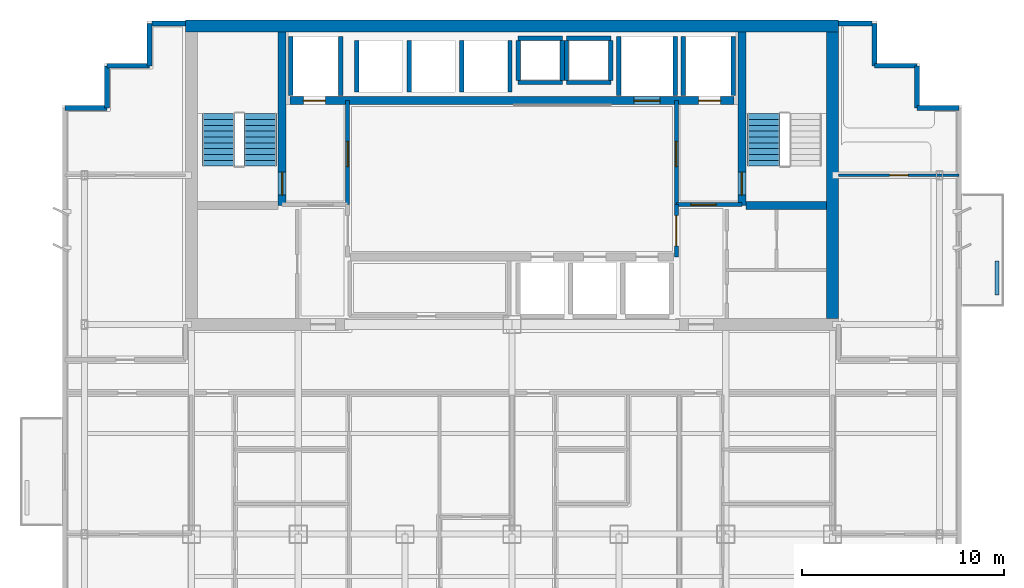
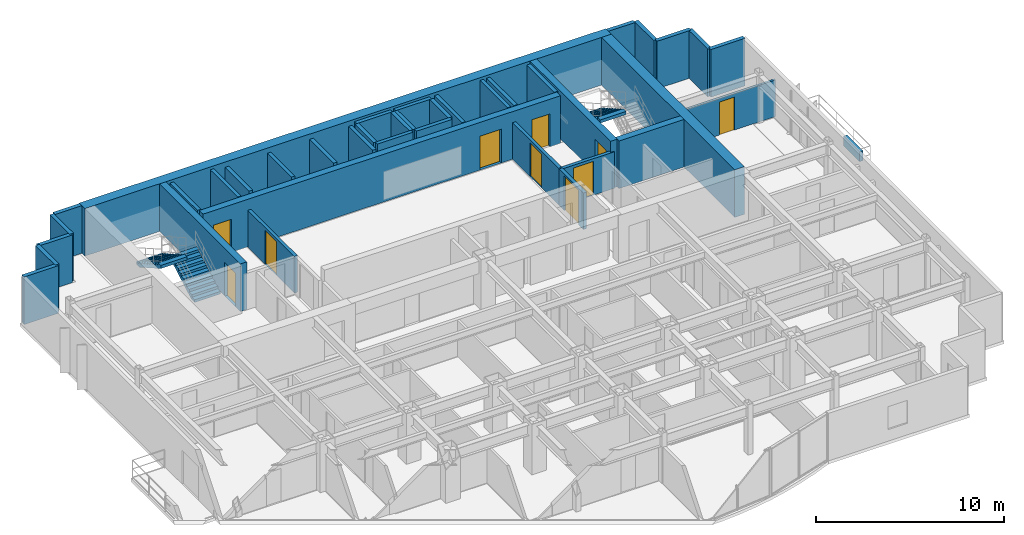
# One storey, part 8 of 11: 40 walls, 10 doors, 3 stair flights, 10 openings, 2 elements without a shape of their own.
"""IFC4 building model written with IfcOpenShell, lengths in metres."""

import ifcopenshell
import ifcopenshell.guid

model = None  # the IFC model being written
_history = None  # IfcOwnerHistory: only IFC2X3 demands one
_inside = {}  # id of a spatial element -> (the spatial element, [elements in it])
_under = {}  # id of a project, library or spatial element -> (it, [spatial elements below it])
_declared = {}  # id of a project -> (the project, [libraries it declares])
_typed = {}  # id of a type object -> (the type object, [elements of that type])
_made_of = {}  # id of a material, layer set ... -> (it, [elements and type objects made of it])


def new_model(schema):
    """Start an empty IFC model of exactly this schema.

    Asked for "IFC4X3", IfcOpenShell would pick the latest addendum, in which some entities
    have other attributes; the version numbers below select the first issue.
    IFC2X3 requires an IfcOwnerHistory on every rooted entity: one is made here for all.
    """
    global model, _history
    if schema == "IFC4X3":
        model = ifcopenshell.file(schema_version=(4, 3, 0, 0))
    else:
        model = ifcopenshell.file(schema=schema)
    _inside.clear()
    _under.clear()
    _declared.clear()
    _typed.clear()
    _made_of.clear()
    _history = None
    if model.schema == "IFC2X3":
        org = make("IfcOrganization", Name="unknown")
        user = make(
            "IfcPersonAndOrganization",
            ThePerson=make("IfcPerson", FamilyName="unknown"),
            TheOrganization=org,
        )
        app = make(
            "IfcApplication",
            ApplicationDeveloper=org,
            Version="unknown",
            ApplicationFullName="unknown",
            ApplicationIdentifier="unknown",
        )
        _history = make(
            "IfcOwnerHistory",
            OwningUser=user,
            OwningApplication=app,
            ChangeAction="ADDED",
            CreationDate=0,
        )
    return model


def make(cls, **values):
    """One entity of the class cls with the attributes given. An attribute that is None is left unset."""
    return model.create_entity(
        cls, **{name: value for name, value in values.items() if value is not None}
    )


def rooted(cls, **values):
    """An entity with a GlobalId (a new one), such as an element, a storey or a relation."""
    return make(cls, GlobalId=ifcopenshell.guid.new(), OwnerHistory=_history, **values)


def si_unit(unit_type, name, prefix=None):
    """IfcSIUnit, for example si_unit("LENGTHUNIT", "METRE", prefix="MILLI")."""
    return make("IfcSIUnit", UnitType=unit_type, Prefix=prefix, Name=name)


def assignment(units):
    """IfcUnitAssignment: the units of a project."""
    return None if units is None else make("IfcUnitAssignment", Units=units)


def point(xyz):
    """IfcCartesianPoint."""
    return None if xyz is None else make("IfcCartesianPoint", Coordinates=xyz)


def direction(xyz):
    """IfcDirection."""
    return None if xyz is None else make("IfcDirection", DirectionRatios=xyz)


def frame(location, z_axis=None, x_axis=None):
    """IfcAxis2Placement3D, a coordinate frame: its origin and axes. An axis left out is left unset."""
    return make(
        "IfcAxis2Placement3D",
        Location=point(location),
        Axis=direction(z_axis),
        RefDirection=direction(x_axis),
    )


def frame_2d(location, x_axis=None):
    """IfcAxis2Placement2D, a coordinate frame in the plane: its origin and x axis."""
    return make(
        "IfcAxis2Placement2D", Location=point(location), RefDirection=direction(x_axis)
    )


def origin():
    """The frame at (0, 0, 0) with its axes left unset."""
    return frame((0.0, 0.0, 0.0))


def place(relative_to, where):
    """IfcLocalPlacement: puts the frame where relative to a parent placement (None: the world)."""
    return make(
        "IfcLocalPlacement", PlacementRelTo=relative_to, RelativePlacement=where
    )


def context(
    kind, dimensions, precision=None, world=None, true_north=None, identifier=None
):
    """IfcGeometricRepresentationContext, for example the 3D "Model" context."""
    return make(
        "IfcGeometricRepresentationContext",
        ContextIdentifier=identifier,
        ContextType=kind,
        CoordinateSpaceDimension=dimensions,
        Precision=precision,
        WorldCoordinateSystem=world,
        TrueNorth=true_north,
    )


def subcontext(parent, identifier, kind, view, scale=None):
    """IfcGeometricRepresentationSubContext, for example "Body" below "Model"."""
    return make(
        "IfcGeometricRepresentationSubContext",
        ContextIdentifier=identifier,
        ContextType=kind,
        ParentContext=parent,
        TargetScale=scale,
        TargetView=view,
    )


def project(units=None, contexts=None):
    """IfcProject with its units and contexts."""
    return rooted(
        "IfcProject",
        Name="project",
        RepresentationContexts=contexts,
        UnitsInContext=assignment(units),
    )


def spatial(cls, under=None, at=None, **own):
    """A site, building, storey or space (cls), placed at a placement, below another one or the project."""
    s = rooted(cls, ObjectPlacement=at, **own)
    if under is not None:
        _under.setdefault(under.id(), (under, []))[1].append(s)
    return s


def polyline(points):
    """IfcPolyline through the points."""
    return make("IfcPolyline", Points=[point(p) for p in points])


def profile(cls, at=None, kind="AREA", **sizes):
    """A parametric profile (cls). Its sizes go by their IFC names, for example OverallWidth=200.0."""
    return make(cls, ProfileType=kind, Position=at, **sizes)


def rectangle(**sizes):
    """IfcRectangleProfileDef."""
    return profile("IfcRectangleProfileDef", **sizes)


def outline(outer, holes=None, kind="AREA"):
    """IfcArbitraryClosedProfileDef: a profile drawn as a closed curve; with holes, ...WithVoids."""
    if holes is None:
        return make("IfcArbitraryClosedProfileDef", ProfileType=kind, OuterCurve=outer)
    return make(
        "IfcArbitraryProfileDefWithVoids",
        ProfileType=kind,
        OuterCurve=outer,
        InnerCurves=holes,
    )


def extrude(swept, where, along, depth):
    """IfcExtrudedAreaSolid: the profile swept, set in the frame where, extruded along a direction by depth."""
    return make(
        "IfcExtrudedAreaSolid",
        SweptArea=swept,
        Position=where,
        ExtrudedDirection=direction(along),
        Depth=depth,
    )


def shape(context_of_items, identifier, shape_type, items):
    """IfcShapeRepresentation: the items that make up one representation, for example the "Body"."""
    return make(
        "IfcShapeRepresentation",
        ContextOfItems=context_of_items,
        RepresentationIdentifier=identifier,
        RepresentationType=shape_type,
        Items=items,
    )


def material(Name=None, Category=None):
    """IfcMaterial."""
    return make("IfcMaterial", Name=Name, Category=Category)


def layer(
    of_material, thickness, ventilated=None, Name=None, Category=None, Priority=None
):
    """IfcMaterialLayer: one layer of a wall or slab, of a material (None: an air gap)."""
    return make(
        "IfcMaterialLayer",
        Material=of_material,
        LayerThickness=thickness,
        IsVentilated=ventilated,
        Name=Name,
        Category=Category,
        Priority=Priority,
    )


def layer_set(layers, Name=None):
    """IfcMaterialLayerSet."""
    return make("IfcMaterialLayerSet", MaterialLayers=layers, LayerSetName=Name)


def made_of(thing, what):
    """Note that an element or type object is made of a material, layer set ...; save() writes the relation."""
    if what is not None:
        _made_of.setdefault(what.id(), (what, []))[1].append(thing)
    return thing


def type_object(cls, material=None, **own):
    """A type object (cls), such as IfcWallType, which elements share."""
    return made_of(rooted(cls, **own), material)


def element(
    cls,
    number,
    at=None,
    inside=None,
    cuts=None,
    type_object=None,
    material=None,
    context=None,
    identifier="Body",
    shape_type=None,
    held_by="IfcProductDefinitionShape",
    body=None,
    shapes=None,
    **own,
):
    """One element of the class cls, such as IfcWall. Its Tag is "e" and its number.

    at: its placement. inside: the storey or other place that contains it. cuts: it is an
    opening in that element (IfcRelVoidsElement). A single representation is given by context,
    identifier, shape_type and body (its items); several are given by shapes. held_by: the class
    of the entity that holds the representations. save() writes the other relations.
    """
    e = rooted(cls, Tag="e%d" % number, ObjectPlacement=at, **own)
    if body is not None:
        shapes = [shape(context, identifier, shape_type, body)]
    if shapes is not None:
        e.Representation = make(held_by, Representations=shapes)
    if inside is not None:
        _inside.setdefault(inside.id(), (inside, []))[1].append(e)
    if cuts is not None:
        rooted(
            "IfcRelVoidsElement", RelatingBuildingElement=cuts, RelatedOpeningElement=e
        )
    if type_object is not None:
        _typed.setdefault(type_object.id(), (type_object, []))[1].append(e)
    return made_of(e, material)


def fill(opening, filler):
    """IfcRelFillsElement: the door or window that sits in an opening."""
    return rooted(
        "IfcRelFillsElement",
        RelatingOpeningElement=opening,
        RelatedBuildingElement=filler,
    )


def aggregate(whole, parts):
    """IfcRelAggregates: a whole, such as a stair, and the parts it consists of."""
    return rooted("IfcRelAggregates", RelatingObject=whole, RelatedObjects=parts)


def save(model, path):
    """Write the relations noted so far, then the file.

    IfcRelAggregates (storeys below a building ...), IfcRelContainedInSpatialStructure (elements
    in a storey), IfcRelDefinesByType, IfcRelAssociatesMaterial and IfcRelDeclares: one each for
    every whole, place, type object, material and project.
    """
    for whole, parts in _under.values():
        aggregate(whole, parts)
    for where, things in _inside.values():
        rooted(
            "IfcRelContainedInSpatialStructure",
            RelatedElements=things,
            RelatingStructure=where,
        )
    for kind, things in _typed.values():
        rooted("IfcRelDefinesByType", RelatedObjects=things, RelatingType=kind)
    for what, things in _made_of.values():
        rooted("IfcRelAssociatesMaterial", RelatedObjects=things, RelatingMaterial=what)
    for by, libraries in _declared.values():
        rooted("IfcRelDeclares", RelatingContext=by, RelatedDefinitions=libraries)
    model.write(path)


model = new_model("IFC4")

# Units and contexts
model_context = context("Model", 3, precision=1e-05, world=origin(), true_north=direction((0.0, 1.0)))
body_context = subcontext(model_context, "Body", "Model", "MODEL_VIEW")
ifc_project = project(units=[si_unit("LENGTHUNIT", "METRE"), si_unit("AREAUNIT", "SQUARE_METRE"), si_unit("VOLUMEUNIT", "CUBIC_METRE"), si_unit("PLANEANGLEUNIT", "RADIAN"), si_unit("MASSUNIT", "GRAM", prefix="KILO")], contexts=[model_context])

# Site, building, storey
site_placement = place(None, origin())
site = spatial("IfcSite", under=ifc_project, at=site_placement, CompositionType="ELEMENT")
building_placement = place(site_placement, origin())
building = spatial("IfcBuilding", under=site, at=building_placement, Name="Qianlan Lanfeng Residences", CompositionType="ELEMENT")
storey_placement = place(building_placement, frame((0.0, 0.0, 152.39990234375)))
storey = spatial("IfcBuildingStorey", under=building, at=storey_placement, Name="L41", CompositionType="ELEMENT", Elevation=152.39990234375)

# Wall, opening, door
ifc_material_1 = material(Name="Concrete C56", Category="concrete")
ifc_layer_1 = layer(ifc_material_1, 0.39990234375)
ifc_layer_set_1 = layer_set([ifc_layer_1], Name="Concrete C56")
wall_type_1 = type_object("IfcWallType", Name="CW-RC-400", PredefinedType="SHEAR", material=ifc_layer_set_1)
wall_1_placement = place(storey_placement, frame((15.10009765625, 31.10009765625, 0.0), z_axis=(0.0, 0.0, 1.0), x_axis=(0.0, 1.0, 0.0)))
wall_1 = element("IfcWall", 1, at=wall_1_placement, inside=storey, type_object=wall_type_1, Name="L41 Core Shear Wall ST1E", PredefinedType="SHEAR", context=body_context, shape_type="SweptSolid", body=[
    extrude(rectangle(XDim=8.599853515625, YDim=0.39990234375, at=frame_2d((4.2998046875, 0.0))), origin(), (0.0, 0.0, 1.0), 3.10009765625),
])
opening_1_placement = place(wall_1_placement, frame((0.510009765625, 0.0, 0.0)))
opening_1 = element("IfcOpeningElement", 2, at=opening_1_placement, cuts=wall_1, Name="Opening L41-D07", PredefinedType="OPENING", context=body_context, shape_type="SweptSolid", body=[
    extrude(rectangle(XDim=1.14990234375, YDim=2.199951171875, at=frame_2d((0.574951171875, 1.10009765625))), frame((0.0, 0.2099609375, 0.0), z_axis=(0.0, -1.0, 0.0), x_axis=(1.0, 0.0, 0.0)), (0.0, 0.0, 1.0), 0.419921875),
])
ifc_material_2 = material(Name="Painted Galvanised Steel Fire Door", Category="steel")
door_type_1 = type_object("IfcDoorType", Name="DT-ST1", OperationType="NOTDEFINED", PredefinedType="DOOR", material=ifc_material_2)
door_1_placement = place(opening_1_placement, frame((1.14990234375, 0.0, 0.0), z_axis=(0.0, 0.0, 1.0), x_axis=(-1.0, 0.0, 0.0)))
door_1 = element("IfcDoor", 3, at=door_1_placement, inside=storey, type_object=door_type_1, Name="L41 Exit Stair ST-1 Door L41-D07 (DT-ST1)", OperationType="SINGLE_SWING_RIGHT", OverallHeight=2.199951171875, OverallWidth=1.14990234375, PredefinedType="DOOR", context=body_context, shape_type="SweptSolid", body=[
    extrude(rectangle(XDim=1.14990234375, YDim=2.199951171875, at=frame_2d((0.574951171875, 1.10009765625))), frame((0.0, 0.02490234375, 0.0), z_axis=(0.0, -1.0, 0.0), x_axis=(1.0, 0.0, 0.0)), (0.0, 0.0, 1.0), 0.050048828125),
])
fill(opening_1, door_1)

wall_2_placement = place(storey_placement, frame((37.89990234375, 31.10009765625, 0.0), z_axis=(0.0, 0.0, 1.0), x_axis=(0.0, 1.0, 0.0)))
wall_2 = element("IfcWall", 4, at=wall_2_placement, inside=storey, type_object=wall_type_1, Name="L41 Core Shear Wall ST2W", PredefinedType="SHEAR", context=body_context, shape_type="SweptSolid", body=[
    extrude(rectangle(XDim=8.599853515625, YDim=0.39990234375, at=frame_2d((4.2998046875, 0.0))), origin(), (0.0, 0.0, 1.0), 3.10009765625),
])
opening_2_placement = place(wall_2_placement, frame((0.510009765625, 0.0, 0.0)))
opening_2 = element("IfcOpeningElement", 5, at=opening_2_placement, cuts=wall_2, Name="Opening L41-D08", PredefinedType="OPENING", context=body_context, shape_type="SweptSolid", body=[
    extrude(rectangle(XDim=1.14990234375, YDim=2.199951171875, at=frame_2d((0.574951171875, 1.10009765625))), frame((0.0, 0.2099609375, 0.0), z_axis=(0.0, -1.0, 0.0), x_axis=(1.0, 0.0, 0.0)), (0.0, 0.0, 1.0), 0.419921875),
])
door_2_placement = place(opening_2_placement, origin())
door_2 = element("IfcDoor", 6, at=door_2_placement, inside=storey, type_object=door_type_1, Name="L41 Exit Stair ST-2 Door L41-D08 (DT-ST1)", OperationType="SINGLE_SWING_RIGHT", OverallHeight=2.199951171875, OverallWidth=1.14990234375, PredefinedType="DOOR", context=body_context, shape_type="SweptSolid", body=[
    extrude(rectangle(XDim=1.14990234375, YDim=2.199951171875, at=frame_2d((0.574951171875, 1.10009765625))), frame((0.0, 0.02490234375, 0.0), z_axis=(0.0, -1.0, 0.0), x_axis=(1.0, 0.0, 0.0)), (0.0, 0.0, 1.0), 0.050048828125),
])
fill(opening_2, door_2)

# Wall
wall_3_placement = place(storey_placement, frame((38.10009765625, 31.10009765625, 0.0), z_axis=(0.0, 0.0, 1.0), x_axis=(1.0, 0.0, 0.0)))
element("IfcWall", 7, at=wall_3_placement, inside=storey, type_object=wall_type_1, Name="L41 Core Shear Wall ST2S", PredefinedType="SHEAR", context=body_context, shape_type="SweptSolid", body=[
    extrude(rectangle(XDim=4.0, YDim=0.39990234375, at=frame_2d((2.0, 0.0))), origin(), (0.0, 0.0, 1.0), 3.10009765625),
])

# Wall, openings, doors
wall_4_placement = place(storey_placement, frame((15.5, 36.300048828125, 0.0), z_axis=(0.0, 0.0, 1.0), x_axis=(1.0, 0.0, 0.0)))
wall_4 = element("IfcWall", 8, at=wall_4_placement, inside=storey, type_object=wall_type_1, Name="L41 Core Shear Wall LBN", PredefinedType="SHEAR", context=body_context, shape_type="SweptSolid", body=[
    extrude(rectangle(XDim=22.0, YDim=0.39990234375, at=frame_2d((11.0, 0.0))), origin(), (0.0, 0.0, 1.0), 3.10009765625),
])
opening_3_placement = place(wall_4_placement, frame((0.64990234375, 0.0, 0.0)))
opening_3 = element("IfcOpeningElement", 9, at=opening_3_placement, cuts=wall_4, Name="Opening L41-LD-FFL-1", PredefinedType="OPENING", context=body_context, shape_type="SweptSolid", body=[
    extrude(rectangle(XDim=1.10009765625, YDim=2.14990234375, at=frame_2d((0.550048828125, 1.074951171875))), frame((0.0, 0.2099609375, 0.0), z_axis=(0.0, -1.0, 0.0), x_axis=(1.0, 0.0, 0.0)), (0.0, 0.0, 1.0), 0.419921875),
])
opening_4_placement = place(wall_4_placement, frame((20.25, 0.0, 0.0)))
opening_4 = element("IfcOpeningElement", 10, at=opening_4_placement, cuts=wall_4, Name="Opening L41-LD-FFL-2", PredefinedType="OPENING", context=body_context, shape_type="SweptSolid", body=[
    extrude(rectangle(XDim=1.10009765625, YDim=2.14990234375, at=frame_2d((0.550048828125, 1.074951171875))), frame((0.0, 0.2099609375, 0.0), z_axis=(0.0, -1.0, 0.0), x_axis=(1.0, 0.0, 0.0)), (0.0, 0.0, 1.0), 0.419921875),
])
opening_5_placement = place(wall_4_placement, frame((17.050048828125, 0.0, 0.0)))
opening_5 = element("IfcOpeningElement", 11, at=opening_5_placement, cuts=wall_4, Name="Opening L41-LD-SVL-1", PredefinedType="OPENING", context=body_context, shape_type="SweptSolid", body=[
    extrude(rectangle(XDim=1.300048828125, YDim=2.199951171875, at=frame_2d((0.64990234375, 1.10009765625))), frame((0.0, 0.2099609375, 0.0), z_axis=(0.0, -1.0, 0.0), x_axis=(1.0, 0.0, 0.0)), (0.0, 0.0, 1.0), 0.419921875),
])
ifc_material_3 = material(Name="Brushed Stainless Steel Sliding Lift Door", Category="steel")
door_type_2 = type_object("IfcDoorType", Name="LD-01", OperationType="NOTDEFINED", PredefinedType="DOOR", material=ifc_material_3)
door_3_placement = place(opening_3_placement, frame((1.10009765625, 0.0, 0.0), z_axis=(0.0, 0.0, 1.0), x_axis=(-1.0, 0.0, 0.0)))
door_3 = element("IfcDoor", 12, at=door_3_placement, inside=storey, type_object=door_type_2, Name="L41 Elevator FFL-1 Sliding Landing Door", OperationType="DOUBLE_DOOR_SLIDING", OverallHeight=2.14990234375, OverallWidth=1.10009765625, PredefinedType="DOOR", context=body_context, shape_type="SweptSolid", body=[
    extrude(rectangle(XDim=1.10009765625, YDim=2.14990234375, at=frame_2d((0.550048828125, 1.074951171875))), frame((0.0, 0.02490234375, 0.0), z_axis=(0.0, -1.0, 0.0), x_axis=(1.0, 0.0, 0.0)), (0.0, 0.0, 1.0), 0.050048828125),
])
fill(opening_3, door_3)
door_4_placement = place(opening_4_placement, frame((1.10009765625, 0.0, 0.0), z_axis=(0.0, 0.0, 1.0), x_axis=(-1.0, 0.0, 0.0)))
door_4 = element("IfcDoor", 13, at=door_4_placement, inside=storey, type_object=door_type_2, Name="L41 Elevator FFL-2 Sliding Landing Door", OperationType="DOUBLE_DOOR_SLIDING", OverallHeight=2.14990234375, OverallWidth=1.10009765625, PredefinedType="DOOR", context=body_context, shape_type="SweptSolid", body=[
    extrude(rectangle(XDim=1.10009765625, YDim=2.14990234375, at=frame_2d((0.550048828125, 1.074951171875))), frame((0.0, 0.02490234375, 0.0), z_axis=(0.0, -1.0, 0.0), x_axis=(1.0, 0.0, 0.0)), (0.0, 0.0, 1.0), 0.050048828125),
])
fill(opening_4, door_4)
door_type_3 = type_object("IfcDoorType", Name="LD-02", OperationType="NOTDEFINED", PredefinedType="DOOR", material=ifc_material_3)
door_5_placement = place(opening_5_placement, frame((1.300048828125, 0.0, 0.0), z_axis=(0.0, 0.0, 1.0), x_axis=(-1.0, 0.0, 0.0)))
door_5 = element("IfcDoor", 14, at=door_5_placement, inside=storey, type_object=door_type_3, Name="L41 Elevator SVL-1 Sliding Landing Door", OperationType="DOUBLE_DOOR_SLIDING", OverallHeight=2.199951171875, OverallWidth=1.300048828125, PredefinedType="DOOR", context=body_context, shape_type="SweptSolid", body=[
    extrude(rectangle(XDim=1.300048828125, YDim=2.199951171875, at=frame_2d((0.64990234375, 1.10009765625))), frame((0.0, 0.02490234375, 0.0), z_axis=(0.0, -1.0, 0.0), x_axis=(1.0, 0.0, 0.0)), (0.0, 0.0, 1.0), 0.050048828125),
])
fill(opening_5, door_5)

# Walls
ifc_layer_2 = layer(ifc_material_1, 0.60009765625)
ifc_layer_set_2 = layer_set([ifc_layer_2], Name="Concrete C56")
wall_type_2 = type_object("IfcWallType", Name="CW-RC-600", PredefinedType="SHEAR", material=ifc_layer_set_2)
wall_5_placement = place(storey_placement, frame((10.300048828125, 40.0, 0.0), z_axis=(0.0, 0.0, 1.0), x_axis=(1.0, 0.0, 0.0)))
element("IfcWall", 15, at=wall_5_placement, inside=storey, type_object=wall_type_2, Name="L41 Core Shear Wall N", PredefinedType="SHEAR", context=body_context, shape_type="SweptSolid", body=[
    extrude(rectangle(XDim=32.39990234375, YDim=0.60009765625, at=frame_2d((16.199951171875, 0.0))), origin(), (0.0, 0.0, 1.0), 3.10009765625),
])
wall_6_placement = place(storey_placement, frame((42.39990234375, 25.5, 0.0), z_axis=(0.0, 0.0, 1.0), x_axis=(0.0, 1.0, 0.0)))
element("IfcWall", 16, at=wall_6_placement, inside=storey, type_object=wall_type_2, Name="L41 Core Shear Wall E", PredefinedType="SHEAR", context=body_context, shape_type="SweptSolid", body=[
    extrude(rectangle(XDim=14.199951171875, YDim=0.60009765625, at=frame_2d((7.10009765625, 0.0))), origin(), (0.0, 0.0, 1.0), 3.10009765625),
])
ifc_material_4 = material(Name="Concrete C42", Category="concrete")
ifc_layer_3 = layer(ifc_material_4, 0.239990234375)
ifc_layer_set_3 = layer_set([ifc_layer_3], Name="Concrete C42")
wall_type_3 = type_object("IfcWallType", Name="EW-240", PredefinedType="SOLIDWALL", material=ifc_layer_set_3)
wall_7_placement = place(storey_placement, frame((48.679931640625, 35.929931640625, 0.0), z_axis=(0.0, 0.0, 1.0), x_axis=(-1.0, 0.0, 0.0)))
element("IfcWall", 17, at=wall_7_placement, inside=storey, type_object=wall_type_3, Name="L41 Exterior Facade Spandrel Wall 11", PredefinedType="SOLIDWALL", context=body_context, shape_type="SweptSolid", body=[
    extrude(rectangle(XDim=2.099853515625, YDim=0.239990234375, at=frame_2d((1.0498046875, 0.0))), origin(), (0.0, 0.0, 1.0), 3.10009765625),
])
for number, where, z_axis, x_axis, name in (
    (18, (46.580078125, 35.929931640625, 0.0), (0.0, 0.0, 1.0), (0.0, 1.0, 0.0), "L41 Exterior Facade Spandrel Wall 12"),
    (19, (46.580078125, 38.030029296875, 0.0), (0.0, 0.0, 1.0), (-1.0, 0.0, 0.0), "L41 Exterior Facade Spandrel Wall 13"),
):
    element("IfcWall", number, at=place(storey_placement, frame(where, z_axis=z_axis, x_axis=x_axis)), inside=storey, type_object=wall_type_3, Name=name, PredefinedType="SOLIDWALL", context=body_context, shape_type="SweptSolid", body=[
        extrude(rectangle(XDim=2.10009765625, YDim=0.239990234375, at=frame_2d((1.050048828125, 0.0))), origin(), (0.0, 0.0, 1.0), 3.10009765625),
    ])
wall_8_placement = place(storey_placement, frame((44.47998046875, 38.030029296875, 0.0), z_axis=(0.0, 0.0, 1.0), x_axis=(0.0, 1.0, 0.0)))
element("IfcWall", 20, at=wall_8_placement, inside=storey, type_object=wall_type_3, Name="L41 Exterior Facade Spandrel Wall 14", PredefinedType="SOLIDWALL", context=body_context, shape_type="SweptSolid", body=[
    extrude(rectangle(XDim=2.099853515625, YDim=0.239990234375, at=frame_2d((1.0498046875, 0.0))), origin(), (0.0, 0.0, 1.0), 3.10009765625),
])
for number, where, z_axis, x_axis, name in (
    (21, (44.35009765625, 40.1298828125, 0.0), (0.0, 0.0, 1.0), (-1.0, 0.0, 0.0), "L41 North Wing Exterior Wall E"),
    (22, (10.300048828125, 40.1298828125, 0.0), (0.0, 0.0, 1.0), (-1.0, 0.0, 0.0), "L41 North Wing Exterior Wall W"),
):
    element("IfcWall", number, at=place(storey_placement, frame(where, z_axis=z_axis, x_axis=x_axis)), inside=storey, type_object=wall_type_3, Name=name, PredefinedType="SOLIDWALL", context=body_context, shape_type="SweptSolid", body=[
        extrude(rectangle(XDim=1.650146484375, YDim=0.239990234375, at=frame_2d((0.8251953125, 0.0))), origin(), (0.0, 0.0, 1.0), 3.10009765625),
    ])
wall_9_placement = place(storey_placement, frame((8.52001953125, 40.1298828125, 0.0), z_axis=(0.0, 0.0, 1.0), x_axis=(0.0, -1.0, 0.0)))
element("IfcWall", 23, at=wall_9_placement, inside=storey, type_object=wall_type_3, Name="L41 Exterior Facade Spandrel Wall 17", PredefinedType="SOLIDWALL", context=body_context, shape_type="SweptSolid", body=[
    extrude(rectangle(XDim=2.099853515625, YDim=0.239990234375, at=frame_2d((1.0498046875, 0.0))), origin(), (0.0, 0.0, 1.0), 3.10009765625),
])
for number, where, z_axis, x_axis, name in (
    (24, (8.52001953125, 38.030029296875, 0.0), (0.0, 0.0, 1.0), (-1.0, 0.0, 0.0), "L41 Exterior Facade Spandrel Wall 18"),
    (25, (6.419921875, 38.030029296875, 0.0), (0.0, 0.0, 1.0), (0.0, -1.0, 0.0), "L41 Exterior Facade Spandrel Wall 19"),
):
    element("IfcWall", number, at=place(storey_placement, frame(where, z_axis=z_axis, x_axis=x_axis)), inside=storey, type_object=wall_type_3, Name=name, PredefinedType="SOLIDWALL", context=body_context, shape_type="SweptSolid", body=[
        extrude(rectangle(XDim=2.10009765625, YDim=0.239990234375, at=frame_2d((1.050048828125, 0.0))), origin(), (0.0, 0.0, 1.0), 3.10009765625),
    ])
wall_10_placement = place(storey_placement, frame((6.419921875, 35.929931640625, 0.0), z_axis=(0.0, 0.0, 1.0), x_axis=(-1.0, 0.0, 0.0)))
element("IfcWall", 26, at=wall_10_placement, inside=storey, type_object=wall_type_3, Name="L41 Exterior Facade Spandrel Wall 20", PredefinedType="SOLIDWALL", context=body_context, shape_type="SweptSolid", body=[
    extrude(rectangle(XDim=2.099853515625, YDim=0.239990234375, at=frame_2d((1.0498046875, 0.0))), origin(), (0.0, 0.0, 1.0), 3.10009765625),
])
ifc_layer_4 = layer(ifc_material_4, 0.199951171875)
ifc_layer_set_4 = layer_set([ifc_layer_4], Name="Concrete C42")
wall_type_4 = type_object("IfcWallType", Name="PL-TREE-200", PredefinedType="PARAPET", material=ifc_layer_set_4)
wall_11_placement = place(storey_placement, frame((50.550048828125, 26.64990234375, 0.0), z_axis=(0.0, 0.0, 1.0), x_axis=(0.0, 1.0, 0.0)))
element("IfcWall", 27, at=wall_11_placement, inside=storey, type_object=wall_type_4, Name="L41 East Tree Planter Curb EB-N", PredefinedType="PARAPET", context=body_context, shape_type="SweptSolid", body=[
    extrude(rectangle(XDim=1.7001953125, YDim=0.199951171875, at=frame_2d((0.85009765625, 0.0))), origin(), (0.0, 0.0, 1.0), 0.650146484375),
])

# Wall, opening, door
ifc_material_5 = material(Name="Moisture-Resistant Gypsum Partition 135 mm")
ifc_layer_5 = layer(ifc_material_5, 0.135009765625)
ifc_layer_set_5 = layer_set([ifc_layer_5], Name="Moisture-Resistant Gypsum Partition 135 mm")
wall_type_5 = type_object("IfcWallType", Name="PW-135", PredefinedType="PARTITIONING", material=ifc_layer_set_5)
wall_12_placement = place(storey_placement, frame((42.699951171875, 32.60009765625, 0.0), z_axis=(0.0, 0.0, 1.0), x_axis=(1.0, 0.0, 0.0)))
wall_12 = element("IfcWall", 28, at=wall_12_placement, inside=storey, type_object=wall_type_5, Name="L41 EW North Wing Wall", PredefinedType="PARTITIONING", context=body_context, shape_type="SweptSolid", body=[
    extrude(rectangle(XDim=5.97998046875, YDim=0.135009765625, at=frame_2d((2.989990234375, 0.0))), origin(), (0.0, 0.0, 1.0), 2.380126953125),
])
opening_6_placement = place(wall_12_placement, frame((2.530029296875, 0.0, 0.0)))
opening_6 = element("IfcOpeningElement", 29, at=opening_6_placement, cuts=wall_12, Name="Opening L41-D42", PredefinedType="OPENING", context=body_context, shape_type="SweptSolid", body=[
    extrude(rectangle(XDim=0.919921875, YDim=2.14990234375, at=frame_2d((0.4599609375, 1.074951171875))), frame((0.0, 0.07763671875, 0.0), z_axis=(0.0, -1.0, 0.0), x_axis=(1.0, 0.0, 0.0)), (0.0, 0.0, 1.0), 0.155029296875),
])
ifc_material_6 = material(Name="Glazed Timber Kitchen/Study Door", Category="wood")
door_type_4 = type_object("IfcDoorType", Name="DT-INT", OperationType="NOTDEFINED", PredefinedType="DOOR", material=ifc_material_6)
door_6_placement = place(opening_6_placement, origin())
door_6 = element("IfcDoor", 30, at=door_6_placement, inside=storey, type_object=door_type_4, Name="L41 EW Inner Salon Door L41-D42 (DT-INT)", OperationType="SINGLE_SWING_LEFT", OverallHeight=2.14990234375, OverallWidth=0.919921875, PredefinedType="DOOR", context=body_context, shape_type="SweptSolid", body=[
    extrude(rectangle(XDim=0.919921875, YDim=2.14990234375, at=frame_2d((0.4599609375, 1.074951171875))), frame((0.0, 0.02490234375, 0.0), z_axis=(0.0, -1.0, 0.0), x_axis=(1.0, 0.0, 0.0)), (0.0, 0.0, 1.0), 0.050048828125),
])
fill(opening_6, door_6)

ifc_material_7 = material(Name="Autoclaved Aerated Concrete Blockwork 200 mm", Category="masonry")
ifc_layer_6 = layer(ifc_material_7, 0.199951171875)
ifc_layer_set_6 = layer_set([ifc_layer_6], Name="Autoclaved Aerated Concrete Blockwork 200 mm")
wall_type_6 = type_object("IfcWallType", Name="PW-200", PredefinedType="PARTITIONING", material=ifc_layer_set_6)
wall_13_placement = place(storey_placement, frame((18.35009765625, 31.14990234375, 0.0), z_axis=(0.0, 0.0, 1.0), x_axis=(0.0, 1.0, 0.0)))
wall_13 = element("IfcWall", 31, at=wall_13_placement, inside=storey, type_object=wall_type_6, Name="L41 Firefighting Lobby 1 East Wall", PredefinedType="PARTITIONING", context=body_context, shape_type="SweptSolid", body=[
    extrude(rectangle(XDim=5.150146484375, YDim=0.199951171875, at=frame_2d((2.5751953125, 0.0))), origin(), (0.0, 0.0, 1.0), 2.380126953125),
])
opening_7_placement = place(wall_13_placement, frame((1.875, 0.0, 0.0)))
opening_7 = element("IfcOpeningElement", 32, at=opening_7_placement, cuts=wall_13, Name="Opening L41-D04", PredefinedType="OPENING", context=body_context, shape_type="SweptSolid", body=[
    extrude(rectangle(XDim=1.25, YDim=2.199951171875, at=frame_2d((0.625, 1.10009765625))), frame((0.0, 0.10986328125, 0.0), z_axis=(0.0, -1.0, 0.0), x_axis=(1.0, 0.0, 0.0)), (0.0, 0.0, 1.0), 0.219970703125),
])
door_type_5 = type_object("IfcDoorType", Name="DT-FFL", OperationType="NOTDEFINED", PredefinedType="DOOR", material=ifc_material_2)
door_7_placement = place(opening_7_placement, origin())
door_7 = element("IfcDoor", 33, at=door_7_placement, inside=storey, type_object=door_type_5, Name="L41 Firefighting Lobby 1 Lift Lobby Door L41-D04 (DT-FFL)", OperationType="SINGLE_SWING_LEFT", OverallHeight=2.199951171875, OverallWidth=1.25, PredefinedType="DOOR", context=body_context, shape_type="SweptSolid", body=[
    extrude(rectangle(XDim=1.25, YDim=2.199951171875, at=frame_2d((0.625, 1.10009765625))), frame((0.0, 0.02490234375, 0.0), z_axis=(0.0, -1.0, 0.0), x_axis=(1.0, 0.0, 0.0)), (0.0, 0.0, 1.0), 0.050048828125),
])
fill(opening_7, door_7)

wall_14_placement = place(storey_placement, frame((34.64990234375, 31.14990234375, 0.0), z_axis=(0.0, 0.0, 1.0), x_axis=(1.0, 0.0, 0.0)))
wall_14 = element("IfcWall", 34, at=wall_14_placement, inside=storey, type_object=wall_type_6, Name="L41 Firefighting Lobby 2 South Wall", PredefinedType="PARTITIONING", context=body_context, shape_type="SweptSolid", body=[
    extrude(rectangle(XDim=3.25, YDim=0.199951171875, at=frame_2d((1.625, 0.0))), origin(), (0.0, 0.0, 1.0), 2.380126953125),
])
opening_8_placement = place(wall_14_placement, frame((0.72509765625, 0.0, 0.0)))
opening_8 = element("IfcOpeningElement", 35, at=opening_8_placement, cuts=wall_14, Name="Opening L41-D05", PredefinedType="OPENING", context=body_context, shape_type="SweptSolid", body=[
    extrude(rectangle(XDim=1.25, YDim=2.199951171875, at=frame_2d((0.625, 1.10009765625))), frame((0.0, 0.10986328125, 0.0), z_axis=(0.0, -1.0, 0.0), x_axis=(1.0, 0.0, 0.0)), (0.0, 0.0, 1.0), 0.219970703125),
])
door_8_placement = place(opening_8_placement, origin())
door_8 = element("IfcDoor", 36, at=door_8_placement, inside=storey, type_object=door_type_5, Name="L41 Firefighting Lobby 2 Entry Door L41-D05 (DT-FFL)", OperationType="SINGLE_SWING_RIGHT", OverallHeight=2.199951171875, OverallWidth=1.25, PredefinedType="DOOR", context=body_context, shape_type="SweptSolid", body=[
    extrude(rectangle(XDim=1.25, YDim=2.199951171875, at=frame_2d((0.625, 1.10009765625))), frame((0.0, 0.02490234375, 0.0), z_axis=(0.0, -1.0, 0.0), x_axis=(1.0, 0.0, 0.0)), (0.0, 0.0, 1.0), 0.050048828125),
])
fill(opening_8, door_8)

wall_15_placement = place(storey_placement, frame((34.64990234375, 31.14990234375, 0.0), z_axis=(0.0, 0.0, 1.0), x_axis=(0.0, 1.0, 0.0)))
wall_15 = element("IfcWall", 37, at=wall_15_placement, inside=storey, type_object=wall_type_6, Name="L41 Firefighting Lobby 2 West Wall", PredefinedType="PARTITIONING", context=body_context, shape_type="SweptSolid", body=[
    extrude(rectangle(XDim=5.150146484375, YDim=0.199951171875, at=frame_2d((2.5751953125, 0.0))), origin(), (0.0, 0.0, 1.0), 2.380126953125),
])
opening_9_placement = place(wall_15_placement, frame((1.875, 0.0, 0.0)))
opening_9 = element("IfcOpeningElement", 38, at=opening_9_placement, cuts=wall_15, Name="Opening L41-D06", PredefinedType="OPENING", context=body_context, shape_type="SweptSolid", body=[
    extrude(rectangle(XDim=1.25, YDim=2.199951171875, at=frame_2d((0.625, 1.10009765625))), frame((0.0, 0.10986328125, 0.0), z_axis=(0.0, -1.0, 0.0), x_axis=(1.0, 0.0, 0.0)), (0.0, 0.0, 1.0), 0.219970703125),
])
door_9_placement = place(opening_9_placement, origin())
door_9 = element("IfcDoor", 39, at=door_9_placement, inside=storey, type_object=door_type_5, Name="L41 Firefighting Lobby 2 Lift Lobby Door L41-D06 (DT-FFL)", OperationType="SINGLE_SWING_LEFT", OverallHeight=2.199951171875, OverallWidth=1.25, PredefinedType="DOOR", context=body_context, shape_type="SweptSolid", body=[
    extrude(rectangle(XDim=1.25, YDim=2.199951171875, at=frame_2d((0.625, 1.10009765625))), frame((0.0, 0.02490234375, 0.0), z_axis=(0.0, -1.0, 0.0), x_axis=(1.0, 0.0, 0.0)), (0.0, 0.0, 1.0), 0.050048828125),
])
fill(opening_9, door_9)

wall_16_placement = place(storey_placement, frame((34.64990234375, 28.550048828125, 0.0), z_axis=(0.0, 0.0, 1.0), x_axis=(0.0, 1.0, 0.0)))
wall_16 = element("IfcWall", 40, at=wall_16_placement, inside=storey, type_object=wall_type_6, Name="L41 Lift Lobby East Connector Wall", PredefinedType="PARTITIONING", context=body_context, shape_type="SweptSolid", body=[
    extrude(rectangle(XDim=2.599853515625, YDim=0.199951171875, at=frame_2d((1.2998046875, 0.0))), origin(), (0.0, 0.0, 1.0), 2.380126953125),
])
opening_10_placement = place(wall_16_placement, frame((0.550048828125, 0.0, 0.0)))
opening_10 = element("IfcOpeningElement", 41, at=opening_10_placement, cuts=wall_16, Name="Opening L41-D14", PredefinedType="OPENING", context=body_context, shape_type="SweptSolid", body=[
    extrude(rectangle(XDim=1.5, YDim=2.25, at=frame_2d((0.75, 1.125))), frame((0.0, 0.10986328125, 0.0), z_axis=(0.0, -1.0, 0.0), x_axis=(1.0, 0.0, 0.0)), (0.0, 0.0, 1.0), 0.219970703125),
])
ifc_material_8 = material(Name="Timber Veneer Acoustic Fire Door", Category="wood")
door_type_6 = type_object("IfcDoorType", Name="DT-COR1", OperationType="NOTDEFINED", PredefinedType="DOOR", material=ifc_material_8)
door_10_placement = place(opening_10_placement, frame((1.5, 0.0, 0.0), z_axis=(0.0, 0.0, 1.0), x_axis=(-1.0, 0.0, 0.0)))
door_10 = element("IfcDoor", 42, at=door_10_placement, inside=storey, type_object=door_type_6, Name="L41 Lift Lobby East Portal Door L41-D14 (DT-COR1)", OperationType="DOUBLE_DOOR_SINGLE_SWING", OverallHeight=2.25, OverallWidth=1.5, PredefinedType="DOOR", context=body_context, shape_type="SweptSolid", body=[
    extrude(rectangle(XDim=1.5, YDim=2.25, at=frame_2d((0.75, 1.125))), frame((0.0, 0.02490234375, 0.0), z_axis=(0.0, -1.0, 0.0), x_axis=(1.0, 0.0, 0.0)), (0.0, 0.0, 1.0), 0.050048828125),
])
fill(opening_10, door_10)

# Walls
ifc_material_9 = material(Name="Concrete C49", Category="concrete")
ifc_layer_7 = layer(ifc_material_9, 0.219970703125)
ifc_layer_set_7 = layer_set([ifc_layer_7], Name="Concrete C49")
wall_type_7 = type_object("IfcWallType", Name="SHW-220", PredefinedType="SOLIDWALL", material=ifc_layer_set_7)
for number, where, z_axis, x_axis, name in (
    (43, (15.52001953125, 36.550048828125, 0.0), (0.0, 0.0, 1.0), (0.0, 1.0, 0.0), "L41 Lift FFL-1 Shaft Wall W"),
    (44, (18.0, 36.550048828125, 0.0), (0.0, 0.0, 1.0), (0.0, 1.0, 0.0), "L41 Lift FFL-1 Shaft Wall E"),
    (45, (35.0, 36.550048828125, 0.0), (0.0, 0.0, 1.0), (0.0, 1.0, 0.0), "L41 Lift FFL-2 Shaft Wall W"),
    (46, (37.47998046875, 36.550048828125, 0.0), (0.0, 0.0, 1.0), (0.0, 1.0, 0.0), "L41 Lift FFL-2 Shaft Wall E"),
    (47, (31.800048828125, 36.550048828125, 0.0), (0.0, 0.0, 1.0), (0.0, 1.0, 0.0), "L41 Lift SVL-1 Shaft Wall W"),
    (48, (34.60009765625, 36.550048828125, 0.0), (0.0, 0.0, 1.0), (0.0, 1.0, 0.0), "L41 Lift SVL-1 Shaft Wall E"),
):
    element("IfcWall", number, at=place(storey_placement, frame(where, z_axis=z_axis, x_axis=x_axis)), inside=storey, type_object=wall_type_7, Name=name, PredefinedType="SOLIDWALL", context=body_context, shape_type="SweptSolid", body=[
        extrude(rectangle(XDim=2.929931640625, YDim=0.219970703125, at=frame_2d((1.46484375, 0.0))), origin(), (0.0, 0.0, 1.0), 3.10009765625),
    ])
for number, where, z_axis, x_axis, name in (
    (49, (18.800048828125, 36.719970703125, 0.0), (0.0, 0.0, 1.0), (0.0, 1.0, 0.0), "L41 Lift PL-H1 Shaft Wall W"),
    (50, (21.39990234375, 36.719970703125, 0.0), (0.0, 0.0, 1.0), (0.0, 1.0, 0.0), "L41 Lift PL-H2 Shaft Wall W"),
    (51, (24.0, 36.719970703125, 0.0), (0.0, 0.0, 1.0), (0.0, 1.0, 0.0), "L41 Lift PL-H3 Shaft Wall W"),
    (52, (26.39990234375, 36.719970703125, 0.0), (0.0, 0.0, 1.0), (0.0, 1.0, 0.0), "L41 Lift PL-H3 Shaft Wall E"),
):
    element("IfcWall", number, at=place(storey_placement, frame(where, z_axis=z_axis, x_axis=x_axis)), inside=storey, type_object=wall_type_7, Name=name, PredefinedType="SOLIDWALL", context=body_context, shape_type="SweptSolid", body=[
        extrude(rectangle(XDim=2.56005859375, YDim=0.219970703125, at=frame_2d((1.280029296875, 0.0))), origin(), (0.0, 0.0, 1.0), 3.10009765625),
    ])
for number, where, z_axis, x_axis, name in (
    (53, (26.800048828125, 37.31005859375, 0.0), (0.0, 0.0, 1.0), (0.0, 1.0, 0.0), "L41 MEP Riser MEP-R1 Shaft Wall W"),
    (54, (29.0, 37.31005859375, 0.0), (0.0, 0.0, 1.0), (0.0, 1.0, 0.0), "L41 MEP Riser MEP-R1 Shaft Wall E"),
):
    element("IfcWall", number, at=place(storey_placement, frame(where, z_axis=z_axis, x_axis=x_axis)), inside=storey, type_object=wall_type_7, Name=name, PredefinedType="SOLIDWALL", context=body_context, shape_type="SweptSolid", body=[
        extrude(rectangle(XDim=1.97998046875, YDim=0.219970703125, at=frame_2d((0.989990234375, 0.0))), origin(), (0.0, 0.0, 1.0), 3.10009765625),
    ])
for number, where, z_axis, x_axis, name in (
    (55, (26.800048828125, 39.39990234375, 0.0), (0.0, 0.0, 1.0), (1.0, 0.0, 0.0), "L41 MEP Riser MEP-R1 Shaft Wall N"),
    (56, (26.800048828125, 37.199951171875, 0.0), (0.0, 0.0, 1.0), (1.0, 0.0, 0.0), "L41 MEP Riser MEP-R1 Shaft Wall S"),
):
    element("IfcWall", number, at=place(storey_placement, frame(where, z_axis=z_axis, x_axis=x_axis)), inside=storey, type_object=wall_type_7, Name=name, PredefinedType="SOLIDWALL", context=body_context, shape_type="SweptSolid", body=[
        extrude(rectangle(XDim=2.199951171875, YDim=0.219970703125, at=frame_2d((1.10009765625, 0.0))), origin(), (0.0, 0.0, 1.0), 3.10009765625),
    ])
for number, where, z_axis, x_axis, name in (
    (57, (29.199951171875, 37.31005859375, 0.0), (0.0, 0.0, 1.0), (0.0, 1.0, 0.0), "L41 MEP Riser MEP-R2 Shaft Wall W"),
    (58, (31.39990234375, 37.31005859375, 0.0), (0.0, 0.0, 1.0), (0.0, 1.0, 0.0), "L41 MEP Riser MEP-R2 Shaft Wall E"),
):
    element("IfcWall", number, at=place(storey_placement, frame(where, z_axis=z_axis, x_axis=x_axis)), inside=storey, type_object=wall_type_7, Name=name, PredefinedType="SOLIDWALL", context=body_context, shape_type="SweptSolid", body=[
        extrude(rectangle(XDim=1.97998046875, YDim=0.219970703125, at=frame_2d((0.989990234375, 0.0))), origin(), (0.0, 0.0, 1.0), 3.10009765625),
    ])
for number, where, z_axis, x_axis, name in (
    (59, (29.199951171875, 39.39990234375, 0.0), (0.0, 0.0, 1.0), (1.0, 0.0, 0.0), "L41 MEP Riser MEP-R2 Shaft Wall N"),
    (60, (29.199951171875, 37.199951171875, 0.0), (0.0, 0.0, 1.0), (1.0, 0.0, 0.0), "L41 MEP Riser MEP-R2 Shaft Wall S"),
):
    element("IfcWall", number, at=place(storey_placement, frame(where, z_axis=z_axis, x_axis=x_axis)), inside=storey, type_object=wall_type_7, Name=name, PredefinedType="SOLIDWALL", context=body_context, shape_type="SweptSolid", body=[
        extrude(rectangle(XDim=2.199951171875, YDim=0.219970703125, at=frame_2d((1.10009765625, 0.0))), origin(), (0.0, 0.0, 1.0), 3.10009765625),
    ])

# Stair, stair flights
stair_type = type_object("IfcStairType", Name="STR-MAIN", PredefinedType="HALF_TURN_STAIR", material=ifc_material_4)
stair_1_placement = place(storey_placement, origin())
stair_1 = element("IfcStair", 61, at=stair_1_placement, inside=storey, type_object=stair_type, Name="L41 Exit Stair ST-1", PredefinedType="HALF_TURN_STAIR")
stair_flight_type = type_object("IfcStairFlightType", Name="FLT-1720", PredefinedType="STRAIGHT", material=ifc_material_4)
stair_flight_1_placement = place(storey_placement, frame((14.02001953125, 33.050048828125, 0.0), z_axis=(0.0, 0.0, 1.0), x_axis=(0.0, 1.0, 0.0)))
stair_flight_1 = element("IfcStairFlight", 62, at=stair_flight_1_placement, type_object=stair_flight_type, Name="ST-1 flight 1", NumberOfRisers=10, NumberOfTreads=9, PredefinedType="STRAIGHT", RiserHeight=0.165, TreadLength=0.29, context=body_context, shape_type="SweptSolid", body=[
    extrude(outline(polyline([(0.0, 0.0), (0.0, 0.1650390625), (0.2900390625, 0.1650390625), (0.2900390625, 0.330078125), (0.580078125, 0.330078125), (0.580078125, 0.4951171875), (0.8701171875, 0.4951171875), (0.8701171875, 0.659912109375), (1.159912109375, 0.659912109375), (1.159912109375, 0.824951171875), (1.449951171875, 0.824951171875), (1.449951171875, 0.989990234375), (1.739990234375, 0.989990234375), (1.739990234375, 1.155029296875), (2.030029296875, 1.155029296875), (2.030029296875, 1.320068359375), (2.320068359375, 1.320068359375), (2.320068359375, 1.485107421875), (2.610107421875, 1.485107421875), (2.610107421875, 1.64990234375), (2.610107421875, 1.278076171875), (0.36376953125, 0.0), (0.0, 0.0)])), frame((0.0, 0.800048828125, 0.0), z_axis=(0.0, -1.0, 0.0), x_axis=(1.0, 0.0, 0.0)), (0.0, 0.0, 1.0), 1.60009765625),
])
stair_flight_2_placement = place(storey_placement, frame((11.93994140625, 35.659912109375, 1.650146484375), z_axis=(0.0, 0.0, 1.0), x_axis=(0.0, -1.0, 0.0)))
stair_flight_2 = element("IfcStairFlight", 63, at=stair_flight_2_placement, type_object=stair_flight_type, Name="ST-1 flight 2", NumberOfRisers=10, NumberOfTreads=9, PredefinedType="STRAIGHT", RiserHeight=0.165, TreadLength=0.29, context=body_context, shape_type="SweptSolid", body=[
    extrude(outline(polyline([(0.0, 0.0), (0.0, 0.1650390625), (0.2900390625, 0.1650390625), (0.2900390625, 0.330078125), (0.580078125, 0.330078125), (0.580078125, 0.4951171875), (0.8701171875, 0.4951171875), (0.8701171875, 0.659912109375), (1.159912109375, 0.659912109375), (1.159912109375, 0.824951171875), (1.449951171875, 0.824951171875), (1.449951171875, 0.989990234375), (1.739990234375, 0.989990234375), (1.739990234375, 1.155029296875), (2.030029296875, 1.155029296875), (2.030029296875, 1.320068359375), (2.320068359375, 1.320068359375), (2.320068359375, 1.485107421875), (2.610107421875, 1.485107421875), (2.610107421875, 1.64990234375), (2.610107421875, 1.278076171875), (0.36376953125, 0.0), (0.0, 0.0)])), frame((0.0, 0.800048828125, 0.0), z_axis=(0.0, -1.0, 0.0), x_axis=(1.0, 0.0, 0.0)), (0.0, 0.0, 1.0), 1.60009765625),
])
aggregate(stair_1, [stair_flight_1, stair_flight_2])

# Stair, stair flight
stair_2_placement = place(storey_placement, origin())
stair_2 = element("IfcStair", 64, at=stair_2_placement, inside=storey, type_object=stair_type, Name="L41 Exit Stair ST-2", PredefinedType="HALF_TURN_STAIR")
stair_flight_3_placement = place(storey_placement, frame((38.97998046875, 35.659912109375, 1.650146484375), z_axis=(0.0, 0.0, 1.0), x_axis=(0.0, -1.0, 0.0)))
stair_flight_3 = element("IfcStairFlight", 65, at=stair_flight_3_placement, type_object=stair_flight_type, Name="ST-2 flight 2", NumberOfRisers=10, NumberOfTreads=9, PredefinedType="STRAIGHT", RiserHeight=0.165, TreadLength=0.29, context=body_context, shape_type="SweptSolid", body=[
    extrude(outline(polyline([(0.0, 0.0), (0.0, 0.1650390625), (0.2900390625, 0.1650390625), (0.2900390625, 0.330078125), (0.580078125, 0.330078125), (0.580078125, 0.4951171875), (0.8701171875, 0.4951171875), (0.8701171875, 0.659912109375), (1.159912109375, 0.659912109375), (1.159912109375, 0.824951171875), (1.449951171875, 0.824951171875), (1.449951171875, 0.989990234375), (1.739990234375, 0.989990234375), (1.739990234375, 1.155029296875), (2.030029296875, 1.155029296875), (2.030029296875, 1.320068359375), (2.320068359375, 1.320068359375), (2.320068359375, 1.485107421875), (2.610107421875, 1.485107421875), (2.610107421875, 1.64990234375), (2.610107421875, 1.278076171875), (0.36376953125, 0.0), (0.0, 0.0)])), frame((0.0, 0.800048828125, 0.0), z_axis=(0.0, -1.0, 0.0), x_axis=(1.0, 0.0, 0.0)), (0.0, 0.0, 1.0), 1.60009765625),
])
aggregate(stair_2, [stair_flight_3])

save(model, "model.ifc")
